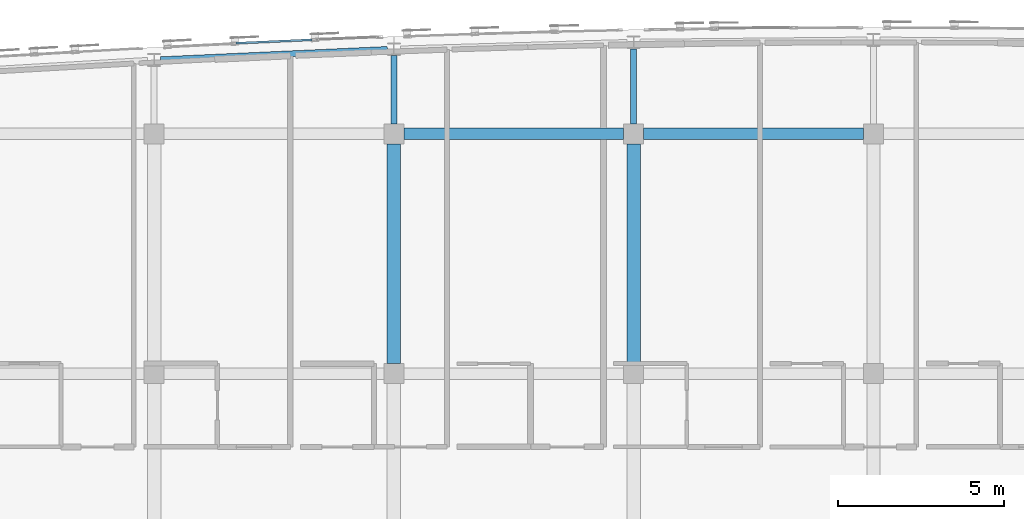
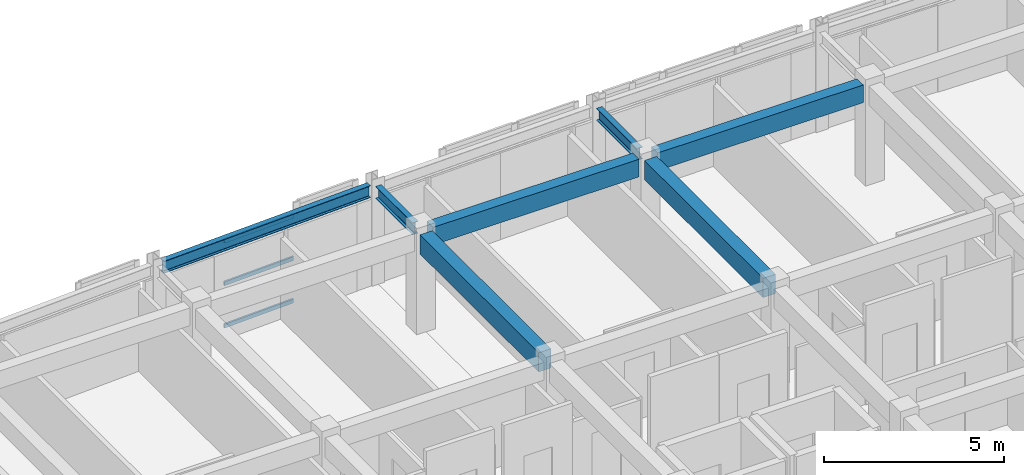
# One storey, part 14 of 45: 7 beams, 3 members, 1 element without a shape of its own.
"""IFC4 building model written with IfcOpenShell, lengths in metres."""

import ifcopenshell
import ifcopenshell.guid

model = None  # the IFC model being written
_history = None  # IfcOwnerHistory: only IFC2X3 demands one
_inside = {}  # id of a spatial element -> (the spatial element, [elements in it])
_under = {}  # id of a project, library or spatial element -> (it, [spatial elements below it])
_declared = {}  # id of a project -> (the project, [libraries it declares])
_typed = {}  # id of a type object -> (the type object, [elements of that type])
_made_of = {}  # id of a material, layer set ... -> (it, [elements and type objects made of it])


def new_model(schema):
    """Start an empty IFC model of exactly this schema.

    Asked for "IFC4X3", IfcOpenShell would pick the latest addendum, in which some entities
    have other attributes; the version numbers below select the first issue.
    IFC2X3 requires an IfcOwnerHistory on every rooted entity: one is made here for all.
    """
    global model, _history
    if schema == "IFC4X3":
        model = ifcopenshell.file(schema_version=(4, 3, 0, 0))
    else:
        model = ifcopenshell.file(schema=schema)
    _inside.clear()
    _under.clear()
    _declared.clear()
    _typed.clear()
    _made_of.clear()
    _history = None
    if model.schema == "IFC2X3":
        org = make("IfcOrganization", Name="unknown")
        user = make(
            "IfcPersonAndOrganization",
            ThePerson=make("IfcPerson", FamilyName="unknown"),
            TheOrganization=org,
        )
        app = make(
            "IfcApplication",
            ApplicationDeveloper=org,
            Version="unknown",
            ApplicationFullName="unknown",
            ApplicationIdentifier="unknown",
        )
        _history = make(
            "IfcOwnerHistory",
            OwningUser=user,
            OwningApplication=app,
            ChangeAction="ADDED",
            CreationDate=0,
        )
    return model


def make(cls, **values):
    """One entity of the class cls with the attributes given. An attribute that is None is left unset."""
    return model.create_entity(
        cls, **{name: value for name, value in values.items() if value is not None}
    )


def rooted(cls, **values):
    """An entity with a GlobalId (a new one), such as an element, a storey or a relation."""
    return make(cls, GlobalId=ifcopenshell.guid.new(), OwnerHistory=_history, **values)


def si_unit(unit_type, name, prefix=None):
    """IfcSIUnit, for example si_unit("LENGTHUNIT", "METRE", prefix="MILLI")."""
    return make("IfcSIUnit", UnitType=unit_type, Prefix=prefix, Name=name)


def assignment(units):
    """IfcUnitAssignment: the units of a project."""
    return None if units is None else make("IfcUnitAssignment", Units=units)


def point(xyz):
    """IfcCartesianPoint."""
    return None if xyz is None else make("IfcCartesianPoint", Coordinates=xyz)


def direction(xyz):
    """IfcDirection."""
    return None if xyz is None else make("IfcDirection", DirectionRatios=xyz)


def frame(location, z_axis=None, x_axis=None):
    """IfcAxis2Placement3D, a coordinate frame: its origin and axes. An axis left out is left unset."""
    return make(
        "IfcAxis2Placement3D",
        Location=point(location),
        Axis=direction(z_axis),
        RefDirection=direction(x_axis),
    )


def frame_2d(location, x_axis=None):
    """IfcAxis2Placement2D, a coordinate frame in the plane: its origin and x axis."""
    return make(
        "IfcAxis2Placement2D", Location=point(location), RefDirection=direction(x_axis)
    )


def origin():
    """The frame at (0, 0, 0) with its axes left unset."""
    return frame((0.0, 0.0, 0.0))


def origin_2d():
    """The frame at (0, 0) in the plane with its x axis left unset."""
    return frame_2d((0.0, 0.0))


def place(relative_to, where):
    """IfcLocalPlacement: puts the frame where relative to a parent placement (None: the world)."""
    return make(
        "IfcLocalPlacement", PlacementRelTo=relative_to, RelativePlacement=where
    )


def context(
    kind, dimensions, precision=None, world=None, true_north=None, identifier=None
):
    """IfcGeometricRepresentationContext, for example the 3D "Model" context."""
    return make(
        "IfcGeometricRepresentationContext",
        ContextIdentifier=identifier,
        ContextType=kind,
        CoordinateSpaceDimension=dimensions,
        Precision=precision,
        WorldCoordinateSystem=world,
        TrueNorth=true_north,
    )


def subcontext(parent, identifier, kind, view, scale=None):
    """IfcGeometricRepresentationSubContext, for example "Body" below "Model"."""
    return make(
        "IfcGeometricRepresentationSubContext",
        ContextIdentifier=identifier,
        ContextType=kind,
        ParentContext=parent,
        TargetScale=scale,
        TargetView=view,
    )


def project(units=None, contexts=None):
    """IfcProject with its units and contexts."""
    return rooted(
        "IfcProject",
        Name="project",
        RepresentationContexts=contexts,
        UnitsInContext=assignment(units),
    )


def spatial(cls, under=None, at=None, **own):
    """A site, building, storey or space (cls), placed at a placement, below another one or the project."""
    s = rooted(cls, ObjectPlacement=at, **own)
    if under is not None:
        _under.setdefault(under.id(), (under, []))[1].append(s)
    return s


def profile(cls, at=None, kind="AREA", **sizes):
    """A parametric profile (cls). Its sizes go by their IFC names, for example OverallWidth=200.0."""
    return make(cls, ProfileType=kind, Position=at, **sizes)


def rectangle(**sizes):
    """IfcRectangleProfileDef."""
    return profile("IfcRectangleProfileDef", **sizes)


def hollow_rectangle(**sizes):
    """IfcRectangleHollowProfileDef."""
    return profile("IfcRectangleHollowProfileDef", **sizes)


def i_section(**sizes):
    """IfcIShapeProfileDef."""
    return profile("IfcIShapeProfileDef", **sizes)


def extrude(swept, where, along, depth):
    """IfcExtrudedAreaSolid: the profile swept, set in the frame where, extruded along a direction by depth."""
    return make(
        "IfcExtrudedAreaSolid",
        SweptArea=swept,
        Position=where,
        ExtrudedDirection=direction(along),
        Depth=depth,
    )


def shape(context_of_items, identifier, shape_type, items):
    """IfcShapeRepresentation: the items that make up one representation, for example the "Body"."""
    return make(
        "IfcShapeRepresentation",
        ContextOfItems=context_of_items,
        RepresentationIdentifier=identifier,
        RepresentationType=shape_type,
        Items=items,
    )


def material(Name=None, Category=None):
    """IfcMaterial."""
    return make("IfcMaterial", Name=Name, Category=Category)


def layer(
    of_material, thickness, ventilated=None, Name=None, Category=None, Priority=None
):
    """IfcMaterialLayer: one layer of a wall or slab, of a material (None: an air gap)."""
    return make(
        "IfcMaterialLayer",
        Material=of_material,
        LayerThickness=thickness,
        IsVentilated=ventilated,
        Name=Name,
        Category=Category,
        Priority=Priority,
    )


def layer_set(layers, Name=None):
    """IfcMaterialLayerSet."""
    return make("IfcMaterialLayerSet", MaterialLayers=layers, LayerSetName=Name)


def material_profile(
    of_material, cross_section, Name=None, Category=None, Priority=None
):
    """IfcMaterialProfile: a cross section and its material."""
    return make(
        "IfcMaterialProfile",
        Name=Name,
        Material=of_material,
        Profile=cross_section,
        Priority=Priority,
        Category=Category,
    )


def profile_set(profiles, Name=None, composite=None):
    """IfcMaterialProfileSet."""
    return make(
        "IfcMaterialProfileSet",
        Name=Name,
        MaterialProfiles=profiles,
        CompositeProfile=composite,
    )


def made_of(thing, what):
    """Note that an element or type object is made of a material, layer set ...; save() writes the relation."""
    if what is not None:
        _made_of.setdefault(what.id(), (what, []))[1].append(thing)
    return thing


def type_object(cls, material=None, **own):
    """A type object (cls), such as IfcWallType, which elements share."""
    return made_of(rooted(cls, **own), material)


def element(
    cls,
    number,
    at=None,
    inside=None,
    cuts=None,
    type_object=None,
    material=None,
    context=None,
    identifier="Body",
    shape_type=None,
    held_by="IfcProductDefinitionShape",
    body=None,
    shapes=None,
    **own,
):
    """One element of the class cls, such as IfcWall. Its Tag is "e" and its number.

    at: its placement. inside: the storey or other place that contains it. cuts: it is an
    opening in that element (IfcRelVoidsElement). A single representation is given by context,
    identifier, shape_type and body (its items); several are given by shapes. held_by: the class
    of the entity that holds the representations. save() writes the other relations.
    """
    e = rooted(cls, Tag="e%d" % number, ObjectPlacement=at, **own)
    if body is not None:
        shapes = [shape(context, identifier, shape_type, body)]
    if shapes is not None:
        e.Representation = make(held_by, Representations=shapes)
    if inside is not None:
        _inside.setdefault(inside.id(), (inside, []))[1].append(e)
    if cuts is not None:
        rooted(
            "IfcRelVoidsElement", RelatingBuildingElement=cuts, RelatedOpeningElement=e
        )
    if type_object is not None:
        _typed.setdefault(type_object.id(), (type_object, []))[1].append(e)
    return made_of(e, material)


def aggregate(whole, parts):
    """IfcRelAggregates: a whole, such as a stair, and the parts it consists of."""
    return rooted("IfcRelAggregates", RelatingObject=whole, RelatedObjects=parts)


def save(model, path):
    """Write the relations noted so far, then the file.

    IfcRelAggregates (storeys below a building ...), IfcRelContainedInSpatialStructure (elements
    in a storey), IfcRelDefinesByType, IfcRelAssociatesMaterial and IfcRelDeclares: one each for
    every whole, place, type object, material and project.
    """
    for whole, parts in _under.values():
        aggregate(whole, parts)
    for where, things in _inside.values():
        rooted(
            "IfcRelContainedInSpatialStructure",
            RelatedElements=things,
            RelatingStructure=where,
        )
    for kind, things in _typed.values():
        rooted("IfcRelDefinesByType", RelatedObjects=things, RelatingType=kind)
    for what, things in _made_of.values():
        rooted("IfcRelAssociatesMaterial", RelatedObjects=things, RelatingMaterial=what)
    for by, libraries in _declared.values():
        rooted("IfcRelDeclares", RelatingContext=by, RelatedDefinitions=libraries)
    model.write(path)


model = new_model("IFC4")

# Units and contexts
model_context = context("Model", 3, precision=1e-05, world=origin(), true_north=direction((0.0, 1.0)))
body_context = subcontext(model_context, "Body", "Model", "MODEL_VIEW")
ifc_project = project(units=[si_unit("LENGTHUNIT", "METRE"), si_unit("AREAUNIT", "SQUARE_METRE"), si_unit("VOLUMEUNIT", "CUBIC_METRE"), si_unit("PLANEANGLEUNIT", "RADIAN"), si_unit("MASSUNIT", "GRAM", prefix="KILO")], contexts=[model_context])

# Site, building, storey
site_placement = place(None, origin())
site = spatial("IfcSite", under=ifc_project, at=site_placement, CompositionType="ELEMENT")
building_placement = place(site_placement, origin())
building = spatial("IfcBuilding", under=site, at=building_placement, Name="Carrowvane Square Congress Hotel", CompositionType="ELEMENT")
storey_placement = place(building_placement, frame((0.0, 0.0, 33.60009765625)))
storey = spatial("IfcBuildingStorey", under=building, at=storey_placement, Name="L08", CompositionType="ELEMENT", Elevation=33.60009765625)

# Beams
ifc_material_1 = material(Name="Concrete C35/45", Category="concrete")
ifc_material_profile_1 = material_profile(ifc_material_1, rectangle(XDim=0.35009765625, YDim=0.60009765625, at=origin_2d()), Name="RC 350x600")
ifc_profile_set_1 = profile_set([ifc_material_profile_1], Name="Concrete C35/45")
beam_type_1 = type_object("IfcBeamType", Name="BM-RC-350x600", PredefinedType="BEAM", material=ifc_profile_set_1)
beam_1_placement = place(storey_placement, frame((83.89990234375, 113.39990234375, 3.059814453125), z_axis=(1.0, 0.0, 0.0), x_axis=(0.0, 1.0, 0.0)))
element("IfcBeam", 1, at=beam_1_placement, inside=storey, type_object=beam_type_1, Name="L09 girder R/11-12", PredefinedType="BEAM", context=body_context, shape_type="SweptSolid", body=[
    extrude(rectangle(XDim=0.35009765625, YDim=0.60009765625, at=origin_2d()), origin(), (0.0, 0.0, 1.0), 6.60009765625),
])
beam_2_placement = place(storey_placement, frame((91.10009765625, 113.39990234375, 3.059814453125), z_axis=(1.0, 0.0, 0.0), x_axis=(0.0, 1.0, 0.0)))
element("IfcBeam", 2, at=beam_2_placement, inside=storey, type_object=beam_type_1, Name="L09 girder R/12-13", PredefinedType="BEAM", context=body_context, shape_type="SweptSolid", body=[
    extrude(rectangle(XDim=0.35009765625, YDim=0.60009765625, at=origin_2d()), origin(), (0.0, 0.0, 1.0), 6.599853515625),
])
ifc_material_2 = material(Name="Concrete C35/45", Category="concrete")
ifc_material_profile_2 = material_profile(ifc_material_2, rectangle(XDim=0.39990234375, YDim=0.64990234375, at=origin_2d()), Name="RC 400x650")
ifc_profile_set_2 = profile_set([ifc_material_profile_2], Name="Concrete C35/45")
beam_type_2 = type_object("IfcBeamType", Name="BM-RC-400x650", PredefinedType="BEAM", material=ifc_profile_set_2)
for number, where, z_axis, x_axis, name in (
    (3, (83.60009765625, 106.5, 3.034912109375), (0.0, 1.0, 0.0), (-1.0, 0.0, 0.0), "L09 girder 11/Q-R"),
    (4, (90.800048828125, 106.5, 3.034912109375), (0.0, 1.0, 0.0), (-1.0, 0.0, 0.0), "L09 girder 12/Q-R"),
):
    element("IfcBeam", number, at=place(storey_placement, frame(where, z_axis=z_axis, x_axis=x_axis)), inside=storey, type_object=beam_type_2, Name=name, PredefinedType="BEAM", context=body_context, shape_type="SweptSolid", body=[
        extrude(rectangle(XDim=0.39990234375, YDim=0.64990234375, at=origin_2d()), origin(), (0.0, 0.0, 1.0), 6.60009765625),
    ])
ifc_material_3 = material(Name="Steel S355", Category="steel")
ifc_material_profile_3 = material_profile(ifc_material_3, i_section(OverallWidth=0.1787109375, OverallDepth=0.409423828125, WebThickness=0.0087890625, FlangeThickness=0.014404296875, FilletRadius=0.01025390625, at=origin_2d()), Name="UKB 406x178x67")
ifc_profile_set_3 = profile_set([ifc_material_profile_3], Name="Steel S355")
beam_type_3 = type_object("IfcBeamType", Name="BM-ST-UKB406", PredefinedType="BEAM", material=ifc_profile_set_3)
beam_3_placement = place(storey_placement, frame((76.59716796875, 115.62646484375, 3.1552734375), z_axis=(0.99897355857, 0.045297122185, 0.0), x_axis=(-0.045297122185, 0.99897355857, 0.0)))
element("IfcBeam", 5, at=beam_3_placement, inside=storey, type_object=beam_type_3, Name="L09 curved north spandrel", PredefinedType="BEAM", context=body_context, shape_type="SweptSolid", body=[
    extrude(i_section(OverallWidth=0.1787109375, OverallDepth=0.409423828125, WebThickness=0.0087890625, FlangeThickness=0.014404296875, FilletRadius=0.01025390625, at=origin_2d()), origin(), (0.0, 0.0, 1.0), 6.812744140625),
])
beam_4_placement = place(storey_placement, frame((83.60009765625, 113.699951171875, 3.1552734375), z_axis=(0.0, 1.0, 0.0), x_axis=(-1.0, 0.0, 0.0)))
element("IfcBeam", 6, at=beam_4_placement, inside=storey, type_object=beam_type_3, Name="L09 radial north beam 11", PredefinedType="BEAM", context=body_context, shape_type="SweptSolid", body=[
    extrude(i_section(OverallWidth=0.1787109375, OverallDepth=0.409423828125, WebThickness=0.0087890625, FlangeThickness=0.014404296875, FilletRadius=0.01025390625, at=origin_2d()), origin(), (0.0, 0.0, 1.0), 2.046630859375),
])
beam_5_placement = place(storey_placement, frame((90.800048828125, 113.699951171875, 3.1552734375), z_axis=(0.0, 1.0, 0.0), x_axis=(-1.0, 0.0, 0.0)))
element("IfcBeam", 7, at=beam_5_placement, inside=storey, type_object=beam_type_3, Name="L09 radial north beam 12", PredefinedType="BEAM", context=body_context, shape_type="SweptSolid", body=[
    extrude(i_section(OverallWidth=0.1787109375, OverallDepth=0.409423828125, WebThickness=0.0087890625, FlangeThickness=0.014404296875, FilletRadius=0.01025390625, at=origin_2d()), origin(), (0.0, 0.0, 1.0), 2.25244140625),
])

# Curtain wall, members
ifc_material_4 = material(Name="Anodised aluminium", Category="aluminium")
ifc_layer = layer(ifc_material_4, 0.18603515625)
ifc_layer_set = layer_set([ifc_layer], Name="Anodised aluminium")
curtain_wall_type = type_object("IfcCurtainWallType", Name="CW-SYS-3", PredefinedType="NOTDEFINED", material=ifc_layer_set)
curtain_wall_placement = place(storey_placement, origin())
curtain_wall = element("IfcCurtainWall", 8, at=curtain_wall_placement, inside=storey, type_object=curtain_wall_type, Name="L08 unitised curtain wall 474", PredefinedType="NOTDEFINED")
ifc_material_5 = material(Name="Anodised aluminium", Category="aluminium")
ifc_material_profile_4 = material_profile(ifc_material_5, hollow_rectangle(XDim=0.06005859375, YDim=0.1298828125, WallThickness=0.00390625, at=origin_2d()), Name="CW-TR 60x130x4")
ifc_profile_set_4 = profile_set([ifc_material_profile_4], Name="Anodised aluminium")
member_type = type_object("IfcMemberType", Name="CW-TRN-1", PredefinedType="USERDEFINED", material=ifc_profile_set_4)
member_1_placement = place(storey_placement, frame((78.85986328125, 116.121337890625, 0.02978515625), z_axis=(0.998971184853, 0.045349441368, 0.0), x_axis=(-0.045349441368, 0.998971184853, 0.0)))
member_1 = element("IfcMember", 9, at=member_1_placement, type_object=member_type, Name="CW-3 transom 1.1", ObjectType="TRANSOM", PredefinedType="USERDEFINED", context=body_context, shape_type="SweptSolid", body=[
    extrude(hollow_rectangle(XDim=0.06005859375, YDim=0.1298828125, WallThickness=0.00390625, at=origin_2d()), origin(), (0.0, 0.0, 1.0), 2.28271484375),
])
member_2_placement = place(storey_placement, frame((78.85986328125, 116.121337890625, 1.4677734375), z_axis=(0.998971184853, 0.045349441368, 0.0), x_axis=(-0.045349441368, 0.998971184853, 0.0)))
member_2 = element("IfcMember", 10, at=member_2_placement, type_object=member_type, Name="CW-3 transom 1.2", ObjectType="TRANSOM", PredefinedType="USERDEFINED", context=body_context, shape_type="SweptSolid", body=[
    extrude(hollow_rectangle(XDim=0.06005859375, YDim=0.1298828125, WallThickness=0.00390625, at=origin_2d()), origin(), (0.0, 0.0, 1.0), 2.28271484375),
])
member_3_placement = place(storey_placement, frame((78.85986328125, 116.121337890625, 2.905517578125), z_axis=(0.998971184853, 0.045349441368, 0.0), x_axis=(-0.045349441368, 0.998971184853, 0.0)))
member_3 = element("IfcMember", 11, at=member_3_placement, type_object=member_type, Name="CW-3 transom 1.3", ObjectType="TRANSOM", PredefinedType="USERDEFINED", context=body_context, shape_type="SweptSolid", body=[
    extrude(hollow_rectangle(XDim=0.06005859375, YDim=0.1298828125, WallThickness=0.00390625, at=origin_2d()), origin(), (0.0, 0.0, 1.0), 2.28271484375),
])
aggregate(curtain_wall, [member_1, member_2, member_3])

save(model, "model.ifc")
